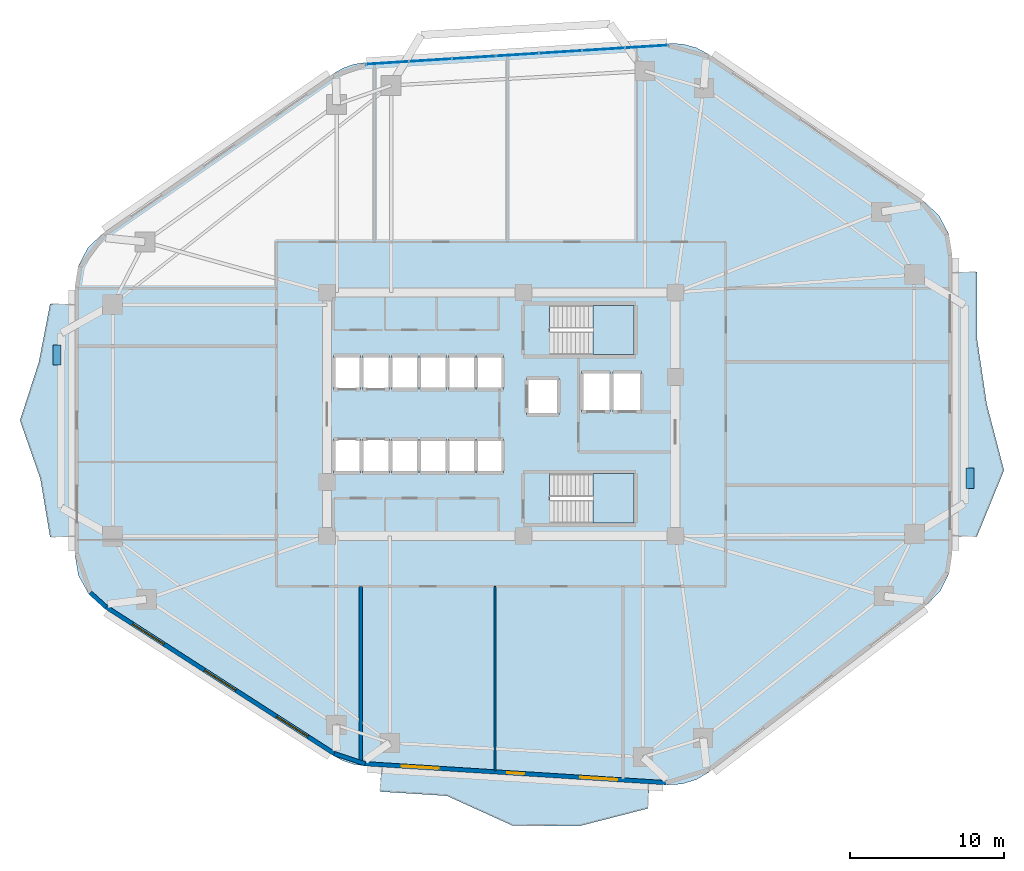
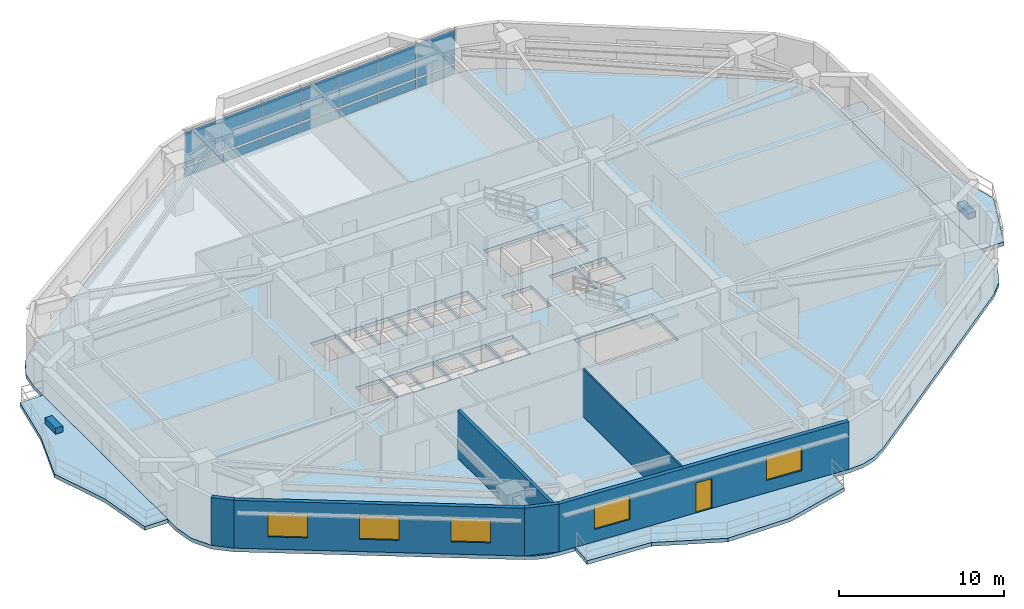
# One storey, part 6 of 14: 16 plates, 6 slabs, 6 walls, 5 windows, 1 door, 6 openings, 3 elements without a shape of their own.
"""IFC4 building model written with IfcOpenShell, lengths in metres."""

from ifc_helpers import new_model, si_unit, direction, frame, frame_2d, origin, origin_2d, place, context, subcontext, project, spatial, polyline, rectangle, outline, extrude, material, layer, layer_set, type_object, element, fill, aggregate, save


model = new_model("IFC4")

# Units and contexts
model_context = context("Model", 3, precision=1e-05, world=origin(), true_north=direction((0.0, 1.0)))
body_context = subcontext(model_context, "Body", "Model", "MODEL_VIEW")
ifc_project = project(units=[si_unit("LENGTHUNIT", "METRE"), si_unit("AREAUNIT", "SQUARE_METRE"), si_unit("VOLUMEUNIT", "CUBIC_METRE"), si_unit("PLANEANGLEUNIT", "RADIAN"), si_unit("MASSUNIT", "GRAM", prefix="KILO")], contexts=[model_context])

# Site, building, storey
site_placement = place(None, origin())
site = spatial("IfcSite", under=ifc_project, at=site_placement, CompositionType="ELEMENT")
building_placement = place(site_placement, origin())
building = spatial("IfcBuilding", under=site, at=building_placement, Name="Zulverin Broadcast Headquarters", CompositionType="ELEMENT")
storey_placement = place(building_placement, frame((0.0, 0.0, 55.39990234375)))
storey = spatial("IfcBuildingStorey", under=building, at=storey_placement, Name="L13", CompositionType="ELEMENT", Elevation=55.39990234375)

# Curtain wall, plates
ifc_material_1 = material(Name="Low-zone ribbon unitised curtain wall", Category="aluminium")
curtain_wall_type = type_object("IfcCurtainWallType", Name="CW-TWR-LOW", PredefinedType="USERDEFINED", material=ifc_material_1)
curtain_wall_placement = place(storey_placement, origin())
curtain_wall = element("IfcCurtainWall", 1, at=curtain_wall_placement, inside=storey, type_object=curtain_wall_type, Name="L13 Unitised Curtain Wall CW-L13-E5", ObjectType="UNITISED CURTAIN WALL", PredefinedType="USERDEFINED")
ifc_material_2 = material(Name="Low-E double-glazed pale-silver vision glass", Category="glass")
ifc_layer_1 = layer(ifc_material_2, 0.035888671875, Name="Low-E double-glazed pale-silver vision glass", Category="glass")
ifc_layer_set_1 = layer_set([ifc_layer_1], Name="Low-E double-glazed pale-silver vision glass")
plate_type_1 = type_object("IfcPlateType", Name="CW-PNL-GLZ", PredefinedType="CURTAIN_PANEL", material=ifc_layer_set_1)
plate_1_placement = place(storey_placement, frame((46.43115234375, 49.001220703125, 0.9111328125), z_axis=(0.0, 0.0, 1.0), x_axis=(-0.998017621976, -0.062935095345, 0.0)))
plate_1 = element("IfcPlate", 2, at=plate_1_placement, type_object=plate_type_1, Name="CW-L13-E5 Vision Panel 00", PredefinedType="CURTAIN_PANEL", context=body_context, shape_type="SweptSolid", body=[
    extrude(rectangle(XDim=2.76416015625, YDim=0.035888671875, at=origin_2d()), origin(), (0.0, 0.0, 1.0), 2.47412109375),
])
plate_2_placement = place(storey_placement, frame((43.632568359375, 48.82470703125, 0.9111328125), z_axis=(0.0, 0.0, 1.0), x_axis=(-0.998017621976, -0.062935095345, 0.0)))
plate_2 = element("IfcPlate", 3, at=plate_2_placement, type_object=plate_type_1, Name="CW-L13-E5 Vision Panel 01", PredefinedType="CURTAIN_PANEL", context=body_context, shape_type="SweptSolid", body=[
    extrude(rectangle(XDim=2.76416015625, YDim=0.035888671875, at=origin_2d()), origin(), (0.0, 0.0, 1.0), 2.47412109375),
])
plate_3_placement = place(storey_placement, frame((40.833984375, 48.648193359375, 0.9111328125), z_axis=(0.0, 0.0, 1.0), x_axis=(-0.998017621976, -0.062935095345, 0.0)))
plate_3 = element("IfcPlate", 4, at=plate_3_placement, type_object=plate_type_1, Name="CW-L13-E5 Vision Panel 02", PredefinedType="CURTAIN_PANEL", context=body_context, shape_type="SweptSolid", body=[
    extrude(rectangle(XDim=2.76416015625, YDim=0.035888671875, at=origin_2d()), origin(), (0.0, 0.0, 1.0), 2.47412109375),
])
plate_4_placement = place(storey_placement, frame((38.035400390625, 48.4716796875, 0.9111328125), z_axis=(0.0, 0.0, 1.0), x_axis=(-0.998017621976, -0.062935095345, 0.0)))
plate_4 = element("IfcPlate", 5, at=plate_4_placement, type_object=plate_type_1, Name="CW-L13-E5 Vision Panel 03", PredefinedType="CURTAIN_PANEL", context=body_context, shape_type="SweptSolid", body=[
    extrude(rectangle(XDim=2.76416015625, YDim=0.035888671875, at=origin_2d()), origin(), (0.0, 0.0, 1.0), 2.47412109375),
])
plate_5_placement = place(storey_placement, frame((35.236572265625, 48.295166015625, 0.9111328125), z_axis=(0.0, 0.0, 1.0), x_axis=(-0.998017621976, -0.062935095345, 0.0)))
plate_5 = element("IfcPlate", 6, at=plate_5_placement, type_object=plate_type_1, Name="CW-L13-E5 Vision Panel 04", PredefinedType="CURTAIN_PANEL", context=body_context, shape_type="SweptSolid", body=[
    extrude(rectangle(XDim=2.76416015625, YDim=0.035888671875, at=origin_2d()), origin(), (0.0, 0.0, 1.0), 2.47412109375),
])
plate_6_placement = place(storey_placement, frame((32.43798828125, 48.11865234375, 0.9111328125), z_axis=(0.0, 0.0, 1.0), x_axis=(-0.998017621976, -0.062935095345, 0.0)))
plate_6 = element("IfcPlate", 7, at=plate_6_placement, type_object=plate_type_1, Name="CW-L13-E5 Vision Panel 05", PredefinedType="CURTAIN_PANEL", context=body_context, shape_type="SweptSolid", body=[
    extrude(rectangle(XDim=2.76416015625, YDim=0.035888671875, at=origin_2d()), origin(), (0.0, 0.0, 1.0), 2.47412109375),
])
plate_7_placement = place(storey_placement, frame((29.639404296875, 47.942138671875, 0.9111328125), z_axis=(0.0, 0.0, 1.0), x_axis=(-0.998017621976, -0.062935095345, 0.0)))
plate_7 = element("IfcPlate", 8, at=plate_7_placement, type_object=plate_type_1, Name="CW-L13-E5 Vision Panel 06", PredefinedType="CURTAIN_PANEL", context=body_context, shape_type="SweptSolid", body=[
    extrude(rectangle(XDim=2.76416015625, YDim=0.035888671875, at=origin_2d()), origin(), (0.0, 0.0, 1.0), 2.47412109375),
])
ifc_material_3 = material(Name="Insulated brushed pale-aluminium spandrel cassette", Category="aluminium")
ifc_layer_2 = layer(ifc_material_3, 0.050048828125, Name="Insulated brushed pale-aluminium spandrel cassette", Category="aluminium")
ifc_layer_set_2 = layer_set([ifc_layer_2], Name="Insulated brushed pale-aluminium spandrel cassette")
plate_type_2 = type_object("IfcPlateType", Name="CW-PNL-SPN", PredefinedType="CURTAIN_PANEL", material=ifc_layer_set_2)
plate_8_placement = place(storey_placement, frame((46.43115234375, 49.001220703125, 0.14013671875), z_axis=(0.0, 0.0, 1.0), x_axis=(-0.998017621976, -0.062935095345, 0.0)))
plate_8 = element("IfcPlate", 9, at=plate_8_placement, type_object=plate_type_2, Name="CW-L13-E5 Spandrel Cassette 00", PredefinedType="CURTAIN_PANEL", context=body_context, shape_type="SweptSolid", body=[
    extrude(rectangle(XDim=2.76416015625, YDim=0.050048828125, at=origin_2d()), origin(), (0.0, 0.0, 1.0), 0.64111328125),
])
plate_9_placement = place(storey_placement, frame((43.632568359375, 48.82470703125, 0.14013671875), z_axis=(0.0, 0.0, 1.0), x_axis=(-0.998017621976, -0.062935095345, 0.0)))
plate_9 = element("IfcPlate", 10, at=plate_9_placement, type_object=plate_type_2, Name="CW-L13-E5 Spandrel Cassette 01", PredefinedType="CURTAIN_PANEL", context=body_context, shape_type="SweptSolid", body=[
    extrude(rectangle(XDim=2.76416015625, YDim=0.050048828125, at=origin_2d()), origin(), (0.0, 0.0, 1.0), 0.64111328125),
])
plate_10_placement = place(storey_placement, frame((40.833984375, 48.648193359375, 0.14013671875), z_axis=(0.0, 0.0, 1.0), x_axis=(-0.998017621976, -0.062935095345, 0.0)))
plate_10 = element("IfcPlate", 11, at=plate_10_placement, type_object=plate_type_2, Name="CW-L13-E5 Spandrel Cassette 02", PredefinedType="CURTAIN_PANEL", context=body_context, shape_type="SweptSolid", body=[
    extrude(rectangle(XDim=2.76416015625, YDim=0.050048828125, at=origin_2d()), origin(), (0.0, 0.0, 1.0), 0.64111328125),
])
plate_11_placement = place(storey_placement, frame((38.035400390625, 48.4716796875, 0.14013671875), z_axis=(0.0, 0.0, 1.0), x_axis=(-0.998017621976, -0.062935095345, 0.0)))
plate_11 = element("IfcPlate", 12, at=plate_11_placement, type_object=plate_type_2, Name="CW-L13-E5 Spandrel Cassette 03", PredefinedType="CURTAIN_PANEL", context=body_context, shape_type="SweptSolid", body=[
    extrude(rectangle(XDim=2.76416015625, YDim=0.050048828125, at=origin_2d()), origin(), (0.0, 0.0, 1.0), 0.64111328125),
])
plate_12_placement = place(storey_placement, frame((35.236572265625, 48.295166015625, 0.14013671875), z_axis=(0.0, 0.0, 1.0), x_axis=(-0.998017621976, -0.062935095345, 0.0)))
plate_12 = element("IfcPlate", 13, at=plate_12_placement, type_object=plate_type_2, Name="CW-L13-E5 Spandrel Cassette 04", PredefinedType="CURTAIN_PANEL", context=body_context, shape_type="SweptSolid", body=[
    extrude(rectangle(XDim=2.76416015625, YDim=0.050048828125, at=origin_2d()), origin(), (0.0, 0.0, 1.0), 0.64111328125),
])
plate_13_placement = place(storey_placement, frame((32.43798828125, 48.11865234375, 0.14013671875), z_axis=(0.0, 0.0, 1.0), x_axis=(-0.998017621976, -0.062935095345, 0.0)))
plate_13 = element("IfcPlate", 14, at=plate_13_placement, type_object=plate_type_2, Name="CW-L13-E5 Spandrel Cassette 05", PredefinedType="CURTAIN_PANEL", context=body_context, shape_type="SweptSolid", body=[
    extrude(rectangle(XDim=2.76416015625, YDim=0.050048828125, at=origin_2d()), origin(), (0.0, 0.0, 1.0), 0.64111328125),
])
plate_14_placement = place(storey_placement, frame((29.639404296875, 47.942138671875, 0.14013671875), z_axis=(0.0, 0.0, 1.0), x_axis=(-0.998017621976, -0.062935095345, 0.0)))
plate_14 = element("IfcPlate", 15, at=plate_14_placement, type_object=plate_type_2, Name="CW-L13-E5 Spandrel Cassette 06", PredefinedType="CURTAIN_PANEL", context=body_context, shape_type="SweptSolid", body=[
    extrude(rectangle(XDim=2.76416015625, YDim=0.050048828125, at=origin_2d()), origin(), (0.0, 0.0, 1.0), 0.64111328125),
])
aggregate(curtain_wall, [plate_8, plate_1, plate_9, plate_2, plate_10, plate_3, plate_11, plate_4, plate_12, plate_5, plate_13, plate_6, plate_14, plate_7])

# Plates
ifc_material_4 = material(Name="Precast concrete C45/55", Category="concrete")
ifc_layer_3 = layer(ifc_material_4, 0.449951171875, Name="Precast concrete C45/55", Category="concrete")
ifc_layer_set_3 = layer_set([ifc_layer_3], Name="Precast concrete C45/55")
plate_type_3 = type_object("IfcPlateType", Name="PT-01_PRECAST_GFRC_TREE_PLANTER", PredefinedType="USERDEFINED", material=ifc_layer_set_3)
for number, where, z_axis, x_axis, name in (
    (16, (67.35009765625, 21.05224609375, -0.0048828125), (0.0, 0.0, 1.0), (0.0, 1.0, 0.0), "L13 Precast GFRC Tree Planter BAL_E"),
    (17, (8.25, 29.022216796875, -0.0048828125), (0.0, 0.0, 1.0), (0.0, 1.0, 0.0), "L13 Precast GFRC Tree Planter BAL_W"),
):
    element("IfcPlate", number, at=place(storey_placement, frame(where, z_axis=z_axis, x_axis=x_axis)), inside=storey, type_object=plate_type_3, Name=name, ObjectType="PLANTER", PredefinedType="USERDEFINED", context=body_context, shape_type="SweptSolid", body=[
        extrude(rectangle(XDim=1.300048828125, YDim=0.5, at=origin_2d()), origin(), (0.0, 0.0, 1.0), 0.449951171875),
    ])

# Slabs
ifc_material_5 = material(Name="Concrete C40/50", Category="concrete")
ifc_layer_4 = layer(ifc_material_5, 0.27490234375, Name="Concrete C40/50", Category="concrete")
ifc_layer_set_4 = layer_set([ifc_layer_4], Name="Concrete C40/50")
slab_type_1 = type_object("IfcSlabType", Name="SLB-BAL-275", PredefinedType="FLOOR", material=ifc_layer_set_4)
slab_1_placement = place(storey_placement, frame((0.0, 0.0, -0.27490234375)))
element("IfcSlab", 18, at=slab_1_placement, inside=storey, type_object=slab_type_1, Name="L13 Cantilevered Planted Balcony Slab BAL_E", PredefinedType="FLOOR", context=body_context, shape_type="SweptSolid", body=[
    extrude(outline(polyline([(66.199951171875, 34.41455078125), (66.199951171875, 17.283447265625), (67.800048828125, 17.283447265625), (69.553955078125, 21.566162109375), (68.435791015625, 25.848876953125), (67.800048828125, 30.131591796875), (67.800048828125, 34.41455078125), (66.199951171875, 34.41455078125)])), origin(), (0.0, 0.0, 1.0), 0.27490234375),
])
slab_2_placement = place(storey_placement, frame((0.0, 0.0, -0.27490234375)))
element("IfcSlab", 19, at=slab_2_placement, inside=storey, type_object=slab_type_1, Name="L13 Cantilevered Planted Balcony Slab BAL_S", PredefinedType="FLOOR", context=body_context, shape_type="SweptSolid", body=[
    extrude(outline(polyline([(46.5927734375, 1.268310546875), (29.250244140625, 2.3623046875), (29.149658203125, 0.765380859375), (33.485107421875, 0.491943359375), (37.717041015625, -1.42822265625), (42.067626953125, -1.4638671875), (46.4921875, -0.328369140625), (46.5927734375, 1.268310546875)])), origin(), (0.0, 0.0, 1.0), 0.27490234375),
])
slab_3_placement = place(storey_placement, frame((0.0, 0.0, -0.27490234375)))
element("IfcSlab", 20, at=slab_3_placement, inside=storey, type_object=slab_type_1, Name="L13 Cantilevered Planted Balcony Slab BAL_W", PredefinedType="FLOOR", context=body_context, shape_type="SweptSolid", body=[
    extrude(outline(polyline([(9.39990234375, 17.24365234375), (9.39990234375, 32.344482421875), (7.800048828125, 32.344482421875), (7.072021484375, 28.569091796875), (5.85009765625, 24.7939453125), (7.168701171875, 21.018798828125), (7.800048828125, 17.24365234375), (9.39990234375, 17.24365234375)])), origin(), (0.0, 0.0, 1.0), 0.27490234375),
])

# Stair, slab
stair_type = type_object("IfcStairType", Name="ST-CORE-1500", PredefinedType="HALF_TURN_STAIR", material=ifc_material_5)
stair_1_placement = place(storey_placement, origin())
stair_1 = element("IfcStair", 21, at=stair_1_placement, inside=storey, type_object=stair_type, Name="L13 Core Exit Stair ST-1", PredefinedType="HALF_TURN_STAIR")
ifc_layer_5 = layer(ifc_material_5, 0.199951171875, Name="Concrete C40/50", Category="concrete")
ifc_layer_set_5 = layer_set([ifc_layer_5], Name="Concrete C40/50")
slab_type_2 = type_object("IfcSlabType", Name="SLB-ST-LND200", PredefinedType="LANDING", material=ifc_layer_set_5)
slab_4_placement = place(storey_placement, frame((0.0, 0.0, 1.7001953125)))
slab_4 = element("IfcSlab", 22, at=slab_4_placement, type_object=slab_type_2, Name="ST-1 landing 1", PredefinedType="LANDING", context=body_context, shape_type="SweptSolid", body=[
    extrude(outline(polyline([(42.929931640625, 29.050048828125), (45.60009765625, 29.050048828125), (45.60009765625, 32.25), (42.929931640625, 32.25), (42.929931640625, 29.050048828125)])), origin(), (0.0, 0.0, 1.0), 0.199951171875),
])
aggregate(stair_1, [slab_4])

stair_2_placement = place(storey_placement, origin())
stair_2 = element("IfcStair", 23, at=stair_2_placement, inside=storey, type_object=stair_type, Name="L13 Core Exit Stair ST-2", PredefinedType="HALF_TURN_STAIR")
slab_5_placement = place(storey_placement, frame((0.0, 0.0, 1.7001953125)))
slab_5 = element("IfcSlab", 24, at=slab_5_placement, type_object=slab_type_2, Name="ST-2 landing 1", PredefinedType="LANDING", context=body_context, shape_type="SweptSolid", body=[
    extrude(outline(polyline([(42.929931640625, 18.14990234375), (45.60009765625, 18.14990234375), (45.60009765625, 21.35009765625), (42.929931640625, 21.35009765625), (42.929931640625, 18.14990234375)])), origin(), (0.0, 0.0, 1.0), 0.199951171875),
])
aggregate(stair_2, [slab_5])

# Slab
ifc_layer_6 = layer(ifc_material_5, 0.27490234375, Name="Concrete C40/50", Category="concrete")
ifc_layer_set_6 = layer_set([ifc_layer_6], Name="Concrete C40/50")
slab_type_3 = type_object("IfcSlabType", Name="SLB-TWR-275", PredefinedType="FLOOR", material=ifc_layer_set_6)
slab_6_placement = place(storey_placement, frame((0.0, 0.0, -0.27490234375)))
element("IfcSlab", 25, at=slab_6_placement, inside=storey, type_object=slab_type_3, Name="L13 Main Structural Floor Slab", PredefinedType="FLOOR", context=body_context, shape_type="SweptSolid", body=[
    extrude(outline(polyline([(26.146484375, 3.089599609375), (26.774658203125, 2.75732421875), (27.44970703125, 2.535888671875), (28.152587890625, 2.431396484375), (47.690673828125, 1.19921875), (48.69189453125, 1.256103515625), (49.6513671875, 1.548828125), (50.51416015625, 2.060546875), (64.55908203125, 12.85302734375), (65.44140625, 13.77587890625), (66.005859375, 14.92138671875), (66.199951171875, 16.183349609375), (66.199951171875, 35.514404296875), (65.981689453125, 36.85107421875), (65.349365234375, 38.048583984375), (64.368896484375, 38.982666015625), (50.456298828125, 48.485595703125), (49.639404296875, 48.920166015625), (48.747314453125, 49.165283203125), (47.822998046875, 49.208984375), (28.232421875, 47.9736328125), (27.481201171875, 47.857421875), (26.76318359375, 47.607666015625), (26.102294921875, 47.232666015625), (11.20556640625, 36.89501953125), (10.238037109375, 35.9619140625), (9.614990234375, 34.77099609375), (9.39990234375, 33.4443359375), (9.39990234375, 16.1435546875), (9.631103515625, 14.769775390625), (10.298583984375, 13.547119140625), (11.32958984375, 12.610107421875), (26.146484375, 3.089599609375)]), holes=[polyline([(40.155029296875, 30.75), (40.130126953125, 30.75), (40.130126953125, 32.25), (45.60009765625, 32.25), (45.60009765625, 29.050048828125), (40.155029296875, 29.050048828125), (40.155029296875, 30.75)]), polyline([(40.155029296875, 19.85009765625), (40.130126953125, 19.85009765625), (40.130126953125, 21.35009765625), (45.60009765625, 21.35009765625), (45.60009765625, 18.14990234375), (40.155029296875, 18.14990234375), (40.155029296875, 19.85009765625)]), polyline([(26.14990234375, 26.800048828125), (27.89990234375, 26.800048828125), (27.89990234375, 29.0), (26.14990234375, 29.0), (26.14990234375, 26.800048828125)]), polyline([(28.02001953125, 26.800048828125), (29.77001953125, 26.800048828125), (29.77001953125, 29.0), (28.02001953125, 29.0), (28.02001953125, 26.800048828125)]), polyline([(26.14990234375, 21.39990234375), (27.89990234375, 21.39990234375), (27.89990234375, 23.60009765625), (26.14990234375, 23.60009765625), (26.14990234375, 21.39990234375)]), polyline([(28.02001953125, 21.39990234375), (29.77001953125, 21.39990234375), (29.77001953125, 23.60009765625), (28.02001953125, 23.60009765625), (28.02001953125, 21.39990234375)]), polyline([(29.89990234375, 21.39990234375), (31.6201171875, 21.39990234375), (31.6201171875, 23.60009765625), (29.89990234375, 23.60009765625), (29.89990234375, 21.39990234375)]), polyline([(31.739990234375, 21.39990234375), (33.4599609375, 21.39990234375), (33.4599609375, 23.60009765625), (31.739990234375, 23.60009765625), (31.739990234375, 21.39990234375)]), polyline([(33.580078125, 21.39990234375), (35.300048828125, 21.39990234375), (35.300048828125, 23.60009765625), (33.580078125, 23.60009765625), (33.580078125, 21.39990234375)]), polyline([(35.419921875, 21.39990234375), (37.139892578125, 21.39990234375), (37.139892578125, 23.60009765625), (35.419921875, 23.60009765625), (35.419921875, 21.39990234375)]), polyline([(29.89990234375, 26.800048828125), (31.6201171875, 26.800048828125), (31.6201171875, 29.0), (29.89990234375, 29.0), (29.89990234375, 26.800048828125)]), polyline([(31.739990234375, 26.800048828125), (33.4599609375, 26.800048828125), (33.4599609375, 29.0), (31.739990234375, 29.0), (31.739990234375, 26.800048828125)]), polyline([(33.580078125, 26.800048828125), (35.300048828125, 26.800048828125), (35.300048828125, 29.0), (33.580078125, 29.0), (33.580078125, 26.800048828125)]), polyline([(35.419921875, 26.800048828125), (37.139892578125, 26.800048828125), (37.139892578125, 29.0), (35.419921875, 29.0), (35.419921875, 26.800048828125)]), polyline([(42.199951171875, 25.35009765625), (44.050048828125, 25.35009765625), (44.050048828125, 27.949951171875), (42.199951171875, 27.949951171875), (42.199951171875, 25.35009765625)]), polyline([(44.25, 25.35009765625), (46.10009765625, 25.35009765625), (46.10009765625, 27.949951171875), (44.25, 27.949951171875), (44.25, 25.35009765625)]), polyline([(38.64990234375, 25.14990234375), (40.75, 25.14990234375), (40.75, 27.550048828125), (38.64990234375, 27.550048828125), (38.64990234375, 25.14990234375)])]), origin(), (0.0, 0.0, 1.0), 0.27490234375),
])

# Wall
ifc_material_6 = material(Name="Double-stud acoustic drywall", Category="gypsum")
ifc_layer_7 = layer(ifc_material_6, 0.219970703125, Name="Double-stud acoustic drywall", Category="gypsum")
ifc_layer_set_7 = layer_set([ifc_layer_7], Name="Double-stud acoustic drywall")
wall_type_1 = type_object("IfcWallType", Name="WL-ACOU-220", PredefinedType="PARTITIONING", material=ifc_layer_set_7)
wall_1_placement = place(storey_placement, frame((27.89990234375, 2.673828125, 0.0), z_axis=(0.0, 0.0, 1.0), x_axis=(0.0, 1.0, 0.0)))
element("IfcWall", 26, at=wall_1_placement, inside=storey, type_object=wall_type_1, Name="L13 Room Partition Wall RP-07", PredefinedType="PARTITIONING", context=body_context, shape_type="SweptSolid", body=[
    extrude(rectangle(XDim=11.376220703125, YDim=0.219970703125, at=frame_2d((5.68798828125, 0.0))), origin(), (0.0, 0.0, 1.0), 3.525146484375),
])

# Wall, openings, door, windows
ifc_material_7 = material(Name="Insulated pale-metal clad concrete spandrel C40/50", Category="concrete")
ifc_layer_8 = layer(ifc_material_7, 0.280029296875, Name="Insulated pale-metal clad concrete spandrel C40/50", Category="concrete")
ifc_layer_set_8 = layer_set([ifc_layer_8], Name="Insulated pale-metal clad concrete spandrel C40/50")
wall_type_2 = type_object("IfcWallType", Name="WL-EXT-280", PredefinedType="STANDARD", material=ifc_layer_set_8)
wall_2_placement = place(storey_placement, frame((28.161376953125, 2.571044921875, 0.0), z_axis=(0.0, 0.0, 1.0), x_axis=(0.998017288298, -0.06294038654, 0.0)))
wall_2 = element("IfcWall", 27, at=wall_2_placement, inside=storey, type_object=wall_type_2, Name="L13 Pale-Metal Clad Spandrel Wall 1", PredefinedType="STANDARD", context=body_context, shape_type="SweptSolid", body=[
    extrude(rectangle(XDim=19.576904296875, YDim=0.280029296875, at=frame_2d((9.78857421875, 0.0))), origin(), (0.0, 0.0, 1.0), 3.525146484375),
])
opening_1_placement = place(wall_2_placement, frame((9.238525390625, 0.0, 0.0)))
opening_1 = element("IfcOpeningElement", 28, at=opening_1_placement, cuts=wall_2, Name="Opening D-L13-TR1", PredefinedType="OPENING", context=body_context, shape_type="SweptSolid", body=[
    extrude(rectangle(XDim=1.10009765625, YDim=2.199951171875, at=frame_2d((0.550048828125, 1.10009765625))), frame((0.0, 0.14990234375, 0.0), z_axis=(0.0, -1.0, 0.0), x_axis=(1.0, 0.0, 0.0)), (0.0, 0.0, 1.0), 0.300048828125),
])
opening_2_placement = place(wall_2_placement, frame((2.396240234375, 0.0, 0.89990234375)))
opening_2 = element("IfcOpeningElement", 29, at=opening_2_placement, cuts=wall_2, Name="Opening W-L13-E11", PredefinedType="OPENING", context=body_context, shape_type="SweptSolid", body=[
    extrude(rectangle(XDim=2.39990234375, YDim=1.75, at=frame_2d((1.199951171875, 0.875))), frame((0.0, 0.14990234375, 0.0), z_axis=(0.0, -1.0, 0.0), x_axis=(1.0, 0.0, 0.0)), (0.0, 0.0, 1.0), 0.300048828125),
])
opening_3_placement = place(wall_2_placement, frame((14.000732421875, 0.0, 0.89990234375)))
opening_3 = element("IfcOpeningElement", 30, at=opening_3_placement, cuts=wall_2, Name="Opening W-L13-E12", PredefinedType="OPENING", context=body_context, shape_type="SweptSolid", body=[
    extrude(rectangle(XDim=2.39990234375, YDim=1.75, at=frame_2d((1.199951171875, 0.875))), frame((0.0, 0.14990234375, 0.0), z_axis=(0.0, -1.0, 0.0), x_axis=(1.0, 0.0, 0.0)), (0.0, 0.0, 1.0), 0.300048828125),
])
ifc_material_8 = material(Name="Thermally broken aluminium glazed", Category="aluminium")
door_type = type_object("IfcDoorType", Name="DR-TERR-1100", OperationType="SINGLE_SWING_RIGHT", PredefinedType="DOOR", material=ifc_material_8)
door_placement = place(opening_1_placement, origin())
door = element("IfcDoor", 31, at=door_placement, inside=storey, type_object=door_type, Name="L13 Planted Terrace Glazed Access Door 1", OperationType="SINGLE_SWING_RIGHT", OverallHeight=2.199951171875, OverallWidth=1.10009765625, PredefinedType="DOOR", context=body_context, shape_type="SweptSolid", body=[
    extrude(rectangle(XDim=1.10009765625, YDim=2.199951171875, at=frame_2d((0.550048828125, 1.10009765625))), frame((0.0, 0.02490234375, 0.0), z_axis=(0.0, -1.0, 0.0), x_axis=(1.0, 0.0, 0.0)), (0.0, 0.0, 1.0), 0.050048828125),
])
fill(opening_1, door)
ifc_material_9 = material(Name="Pale anodized aluminium frame with solar-control low-E double glazing", Category="aluminium")
window_type = type_object("IfcWindowType", Name="WIN-RIB-2400", PartitioningType="SINGLE_PANEL", PredefinedType="WINDOW", material=ifc_material_9)
window_1_placement = place(opening_2_placement, origin())
window_1 = element("IfcWindow", 32, at=window_1_placement, inside=storey, type_object=window_type, Name="L13 Ribbon Glazing Window 1 1", OverallHeight=1.75, OverallWidth=2.39990234375, PartitioningType="SINGLE_PANEL", PredefinedType="WINDOW", context=body_context, shape_type="SweptSolid", body=[
    extrude(rectangle(XDim=2.39990234375, YDim=1.75, at=frame_2d((1.199951171875, 0.875))), frame((0.0, 0.030029296875, 0.0), z_axis=(0.0, -1.0, 0.0), x_axis=(1.0, 0.0, 0.0)), (0.0, 0.0, 1.0), 0.06005859375),
])
fill(opening_2, window_1)
window_2_placement = place(opening_3_placement, origin())
window_2 = element("IfcWindow", 33, at=window_2_placement, inside=storey, type_object=window_type, Name="L13 Ribbon Glazing Window 1 2", OverallHeight=1.75, OverallWidth=2.39990234375, PartitioningType="SINGLE_PANEL", PredefinedType="WINDOW", context=body_context, shape_type="SweptSolid", body=[
    extrude(rectangle(XDim=2.39990234375, YDim=1.75, at=frame_2d((1.199951171875, 0.875))), frame((0.0, 0.030029296875, 0.0), z_axis=(0.0, -1.0, 0.0), x_axis=(1.0, 0.0, 0.0)), (0.0, 0.0, 1.0), 0.06005859375),
])
fill(opening_3, window_2)

# Wall, openings, windows
wall_3_placement = place(storey_placement, frame((11.4052734375, 12.727783203125, 0.0), z_axis=(0.0, 0.0, 1.0), x_axis=(0.841304564637, -0.540561402175, 0.0)))
wall_3 = element("IfcWall", 34, at=wall_3_placement, inside=storey, type_object=wall_type_2, Name="L13 Pale-Metal Clad Spandrel Wall 8", PredefinedType="STANDARD", context=body_context, shape_type="SweptSolid", body=[
    extrude(rectangle(XDim=17.61181640625, YDim=0.280029296875, at=frame_2d((8.805908203125, 0.0))), origin(), (0.0, 0.0, 1.0), 3.525146484375),
])
opening_4_placement = place(wall_3_placement, frame((2.068603515625, 0.0, 0.89990234375)))
opening_4 = element("IfcOpeningElement", 35, at=opening_4_placement, cuts=wall_3, Name="Opening W-L13-E81", PredefinedType="OPENING", context=body_context, shape_type="SweptSolid", body=[
    extrude(rectangle(XDim=2.39990234375, YDim=1.75, at=frame_2d((1.199951171875, 0.875))), frame((0.0, 0.14990234375, 0.0), z_axis=(0.0, -1.0, 0.0), x_axis=(1.0, 0.0, 0.0)), (0.0, 0.0, 1.0), 0.300048828125),
])
opening_5_placement = place(wall_3_placement, frame((7.60595703125, 0.0, 0.89990234375)))
opening_5 = element("IfcOpeningElement", 36, at=opening_5_placement, cuts=wall_3, Name="Opening W-L13-E82", PredefinedType="OPENING", context=body_context, shape_type="SweptSolid", body=[
    extrude(rectangle(XDim=2.39990234375, YDim=1.75, at=frame_2d((1.199951171875, 0.875))), frame((0.0, 0.14990234375, 0.0), z_axis=(0.0, -1.0, 0.0), x_axis=(1.0, 0.0, 0.0)), (0.0, 0.0, 1.0), 0.300048828125),
])
opening_6_placement = place(wall_3_placement, frame((13.143310546875, 0.0, 0.89990234375)))
opening_6 = element("IfcOpeningElement", 37, at=opening_6_placement, cuts=wall_3, Name="Opening W-L13-E83", PredefinedType="OPENING", context=body_context, shape_type="SweptSolid", body=[
    extrude(rectangle(XDim=2.39990234375, YDim=1.75, at=frame_2d((1.199951171875, 0.875))), frame((0.0, 0.14990234375, 0.0), z_axis=(0.0, -1.0, 0.0), x_axis=(1.0, 0.0, 0.0)), (0.0, 0.0, 1.0), 0.300048828125),
])
window_3_placement = place(opening_4_placement, origin())
window_3 = element("IfcWindow", 38, at=window_3_placement, inside=storey, type_object=window_type, Name="L13 Ribbon Glazing Window 8 1", OverallHeight=1.75, OverallWidth=2.39990234375, PartitioningType="SINGLE_PANEL", PredefinedType="WINDOW", context=body_context, shape_type="SweptSolid", body=[
    extrude(rectangle(XDim=2.39990234375, YDim=1.75, at=frame_2d((1.199951171875, 0.875))), frame((0.0, 0.030029296875, 0.0), z_axis=(0.0, -1.0, 0.0), x_axis=(1.0, 0.0, 0.0)), (0.0, 0.0, 1.0), 0.06005859375),
])
fill(opening_4, window_3)
window_4_placement = place(opening_5_placement, origin())
window_4 = element("IfcWindow", 39, at=window_4_placement, inside=storey, type_object=window_type, Name="L13 Ribbon Glazing Window 8 2", OverallHeight=1.75, OverallWidth=2.39990234375, PartitioningType="SINGLE_PANEL", PredefinedType="WINDOW", context=body_context, shape_type="SweptSolid", body=[
    extrude(rectangle(XDim=2.39990234375, YDim=1.75, at=frame_2d((1.199951171875, 0.875))), frame((0.0, 0.030029296875, 0.0), z_axis=(0.0, -1.0, 0.0), x_axis=(1.0, 0.0, 0.0)), (0.0, 0.0, 1.0), 0.06005859375),
])
fill(opening_5, window_4)
window_5_placement = place(opening_6_placement, origin())
window_5 = element("IfcWindow", 40, at=window_5_placement, inside=storey, type_object=window_type, Name="L13 Ribbon Glazing Window 8 3", OverallHeight=1.75, OverallWidth=2.39990234375, PartitioningType="SINGLE_PANEL", PredefinedType="WINDOW", context=body_context, shape_type="SweptSolid", body=[
    extrude(rectangle(XDim=2.39990234375, YDim=1.75, at=frame_2d((1.199951171875, 0.875))), frame((0.0, 0.030029296875, 0.0), z_axis=(0.0, -1.0, 0.0), x_axis=(1.0, 0.0, 0.0)), (0.0, 0.0, 1.0), 0.06005859375),
])
fill(opening_6, window_5)

# Walls
wall_4_placement = place(storey_placement, frame((10.392822265625, 13.650634765625, 0.0), z_axis=(0.0, 0.0, 1.0), x_axis=(0.74003521851, -0.672568119498, 0.0)))
element("IfcWall", 41, at=wall_4_placement, inside=storey, type_object=wall_type_2, Name="L13 Wind-Shaped Corner Spandrel Wall 7-2", PredefinedType="STANDARD", context=body_context, shape_type="SweptSolid", body=[
    extrude(rectangle(XDim=1.39306640625, YDim=0.280029296875, at=frame_2d((0.696533203125, 0.0))), origin(), (0.0, 0.0, 1.0), 3.525146484375),
])
wall_5_placement = place(storey_placement, frame((26.18994140625, 3.22265625, 0.0), z_axis=(0.0, 0.0, 1.0), x_axis=(0.95016442175, -0.311749212734, 0.0)))
element("IfcWall", 42, at=wall_5_placement, inside=storey, type_object=wall_type_2, Name="L13 Wind-Shaped Corner Spandrel Wall 8-1", PredefinedType="STANDARD", context=body_context, shape_type="SweptSolid", body=[
    extrude(rectangle(XDim=2.111328125, YDim=0.280029296875, at=frame_2d((1.0556640625, 0.0))), origin(), (0.0, 0.0, 1.0), 3.525146484375),
])
ifc_material_10 = material(Name="Fire-rated acoustic laminated glass screen", Category="glass")
ifc_layer_9 = layer(ifc_material_10, 0.10009765625, Name="Fire-rated acoustic laminated glass screen", Category="glass")
ifc_layer_set_9 = layer_set([ifc_layer_9], Name="Fire-rated acoustic laminated glass screen")
wall_type_3 = type_object("IfcWallType", Name="WL-GLAZ-100", PredefinedType="PARTITIONING", material=ifc_layer_set_9)
wall_6_placement = place(storey_placement, frame((36.60009765625, 2.103515625, 0.0), z_axis=(0.0, 0.0, 1.0), x_axis=(0.0, 1.0, 0.0)))
element("IfcWall", 43, at=wall_6_placement, inside=storey, type_object=wall_type_3, Name="L13 Room Partition Wall RP-05", PredefinedType="PARTITIONING", context=body_context, shape_type="SweptSolid", body=[
    extrude(rectangle(XDim=11.946533203125, YDim=0.10009765625, at=frame_2d((5.97314453125, 0.0))), origin(), (0.0, 0.0, 1.0), 3.525146484375),
])

save(model, "model.ifc")
